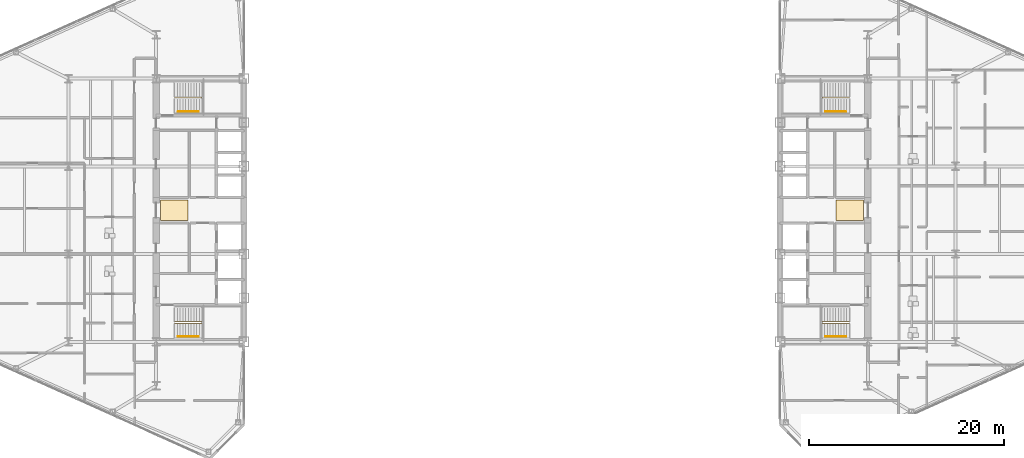
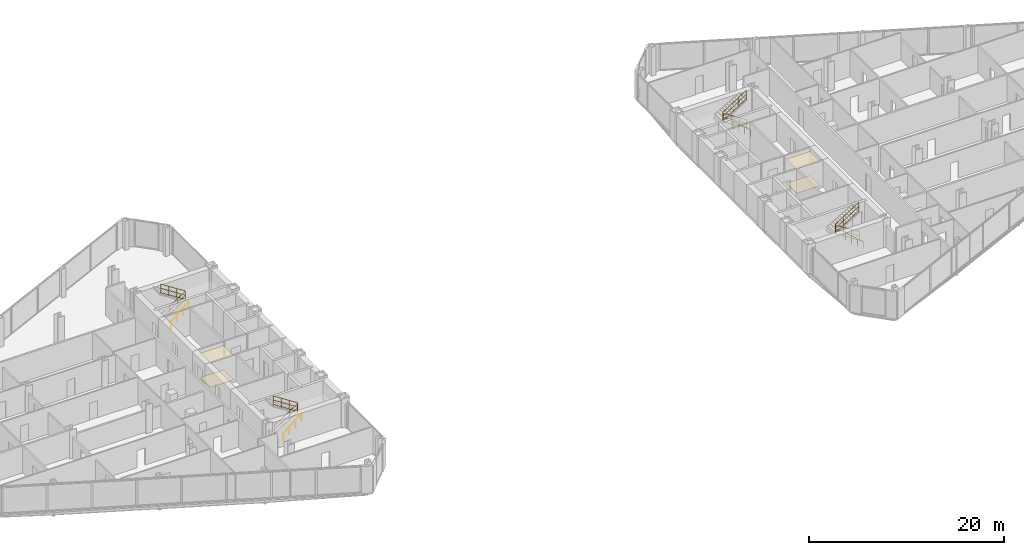
# One storey, part 26 of 27: 8 railings, 4 coverings.
"""IFC4 building model written with IfcOpenShell, lengths in metres."""

from ifc_helpers import new_model, si_unit, direction, frame, origin, origin_2d, place, context, subcontext, project, spatial, polyline, circle, outline, extrude, material, layer, layer_set, type_object, element, save


model = new_model("IFC4")

# Units and contexts
model_context = context("Model", 3, precision=1e-05, world=origin(), true_north=direction((0.0, 1.0)))
body_context = subcontext(model_context, "Body", "Model", "MODEL_VIEW")
ifc_project = project(units=[si_unit("LENGTHUNIT", "METRE"), si_unit("AREAUNIT", "SQUARE_METRE"), si_unit("VOLUMEUNIT", "CUBIC_METRE"), si_unit("PLANEANGLEUNIT", "RADIAN"), si_unit("MASSUNIT", "GRAM", prefix="KILO")], contexts=[model_context])

# Site, building, storey
site_placement = place(None, origin())
site = spatial("IfcSite", under=ifc_project, at=site_placement, CompositionType="ELEMENT")
building_placement = place(site_placement, origin())
building = spatial("IfcBuilding", under=site, at=building_placement, Name="Seokmaru Belvedere", CompositionType="ELEMENT")
storey_placement = place(building_placement, frame((0.0, 0.0, 65.699951171875)))
storey = spatial("IfcBuildingStorey", under=building, at=storey_placement, Name="L17", CompositionType="ELEMENT", Elevation=65.699951171875)

# Coverings
ifc_material_1 = material(Name="Engineered White Oak Timber", Category="wood")
ifc_layer_1 = layer(ifc_material_1, 0.02197265625)
ifc_layer_set_1 = layer_set([ifc_layer_1], Name="Engineered White Oak Timber")
covering_type_1 = type_object("IfcCoveringType", Name="Engineered Oak Residence Floor Finish 22", PredefinedType="FLOORING", material=ifc_layer_set_1)
covering_1_placement = place(storey_placement, origin())
element("IfcCovering", 1, at=covering_1_placement, inside=storey, type_object=covering_type_1, Name="L17 W Foyer Floor Finish", PredefinedType="FLOORING", context=body_context, shape_type="SweptSolid", body=[
    extrude(outline(polyline([(-36.050048828125, -1.050048828125), (-33.25, -1.050048828125), (-33.25, 1.050048828125), (-36.050048828125, 1.050048828125), (-36.050048828125, -1.050048828125)])), origin(), (0.0, 0.0, 1.0), 0.02197265625),
])
covering_2_placement = place(storey_placement, origin())
element("IfcCovering", 2, at=covering_2_placement, inside=storey, type_object=covering_type_1, Name="L17 E Foyer Floor Finish", PredefinedType="FLOORING", context=body_context, shape_type="SweptSolid", body=[
    extrude(outline(polyline([(33.25, -1.050048828125), (36.050048828125, -1.050048828125), (36.050048828125, 1.050048828125), (33.25, 1.050048828125), (33.25, -1.050048828125)])), origin(), (0.0, 0.0, 1.0), 0.02197265625),
])
ifc_material_2 = material(Name="Fire-Rated Gypsum Shaftwall")
ifc_layer_2 = layer(ifc_material_2, 0.02490234375)
ifc_layer_set_2 = layer_set([ifc_layer_2], Name="Fire-Rated Gypsum Shaftwall")
covering_type_2 = type_object("IfcCoveringType", Name="Perforated Acoustic Gypsum Suspended Ceiling 25", PredefinedType="CEILING", material=ifc_layer_set_2)
covering_3_placement = place(storey_placement, frame((0.0, 0.0, 3.030029296875)))
element("IfcCovering", 3, at=covering_3_placement, inside=storey, type_object=covering_type_2, Name="L17 W Lift Foyer Acoustic Ceiling", PredefinedType="CEILING", context=body_context, shape_type="SweptSolid", body=[
    extrude(outline(polyline([(-36.050048828125, -1.050048828125), (-33.25, -1.050048828125), (-33.25, 1.050048828125), (-36.050048828125, 1.050048828125), (-36.050048828125, -1.050048828125)])), origin(), (0.0, 0.0, 1.0), 0.02490234375),
])
covering_4_placement = place(storey_placement, frame((0.0, 0.0, 3.030029296875)))
element("IfcCovering", 4, at=covering_4_placement, inside=storey, type_object=covering_type_2, Name="L17 E Lift Foyer Acoustic Ceiling", PredefinedType="CEILING", context=body_context, shape_type="SweptSolid", body=[
    extrude(outline(polyline([(33.25, -1.050048828125), (36.050048828125, -1.050048828125), (36.050048828125, 1.050048828125), (33.25, 1.050048828125), (33.25, -1.050048828125)])), origin(), (0.0, 0.0, 1.0), 0.02490234375),
])

# Railings
ifc_material_3 = material(Name="Stainless Steel 316", Category="steel")
railing_type_1 = type_object("IfcRailingType", Name="Stainless Steel Wall and Flight Handrail 900", PredefinedType="HANDRAIL", material=ifc_material_3)
for number, where, name in (
    (5, (-34.25, -12.949951171875, 0.0), "L17 Stair ST-W1 Wall Handrail"),
    (6, (-34.25, 10.110107421875, 0.0), "L17 Stair ST-W2 Wall Handrail"),
):
    element("IfcRailing", number, at=place(storey_placement, frame(where)), inside=storey, type_object=railing_type_1, Name=name, PredefinedType="HANDRAIL", context=body_context, shape_type="SweptSolid", body=[
        extrude(circle(Radius=0.02392578125, at=origin_2d()), frame((0.0, 0.0, 0.8759765625), z_axis=(0.759262832861, 0.0, 0.650784104474), x_axis=(0.0, 1.0, 0.0)), (0.0, 0.0, 1.0), 2.765869140625),
        extrude(circle(Radius=0.02099609375, at=origin_2d()), origin(), (0.0, 0.0, 1.0), 0.851806640625),
        extrude(circle(Radius=0.02099609375, at=origin_2d()), frame((0.699951171875, 0.0, 0.60009765625)), (0.0, 0.0, 1.0), 0.851806640625),
        extrude(circle(Radius=0.02099609375, at=origin_2d()), frame((1.400146484375, 0.0, 1.199951171875)), (0.0, 0.0, 1.0), 0.851806640625),
        extrude(circle(Radius=0.02099609375, at=origin_2d()), frame((2.10009765625, 0.0, 1.800048828125)), (0.0, 0.0, 1.0), 0.851806640625),
    ])
for number, where, name in (
    (7, (34.25, -12.949951171875, 0.0), "L17 Stair ST-E1 Wall Handrail"),
    (8, (34.25, 10.110107421875, 0.0), "L17 Stair ST-E2 Wall Handrail"),
):
    element("IfcRailing", number, at=place(storey_placement, frame(where)), inside=storey, type_object=railing_type_1, Name=name, PredefinedType="HANDRAIL", context=body_context, shape_type="SweptSolid", body=[
        extrude(circle(Radius=0.02392578125, at=origin_2d()), frame((0.0, 0.0, 0.8759765625), z_axis=(-0.759262832861, 0.0, 0.650784104474), x_axis=(0.0, -1.0, 0.0)), (0.0, 0.0, 1.0), 2.765869140625),
        extrude(circle(Radius=0.02099609375, at=origin_2d()), origin(), (0.0, 0.0, 1.0), 0.851806640625),
        extrude(circle(Radius=0.02099609375, at=origin_2d()), frame((-0.699951171875, 0.0, 0.60009765625)), (0.0, 0.0, 1.0), 0.851806640625),
        extrude(circle(Radius=0.02099609375, at=origin_2d()), frame((-1.400146484375, 0.0, 1.199951171875)), (0.0, 0.0, 1.0), 0.851806640625),
        extrude(circle(Radius=0.02099609375, at=origin_2d()), frame((-2.10009765625, 0.0, 1.800048828125)), (0.0, 0.0, 1.0), 0.851806640625),
    ])
railing_type_2 = type_object("IfcRailingType", Name="Stair Well and Atrium Steel Guardrail 1200", PredefinedType="GUARDRAIL", material=ifc_material_3)
railing_1_placement = place(storey_placement, frame((-34.60009765625, -11.60009765625, 0.0)))
element("IfcRailing", 9, at=railing_1_placement, inside=storey, type_object=railing_type_2, Name="L17 Stair ST-W1 Inner Well Guardrail", PredefinedType="GUARDRAIL", context=body_context, shape_type="SweptSolid", body=[
    extrude(circle(Radius=0.02392578125, at=origin_2d()), frame((0.0, 0.0, 1.17578125), z_axis=(0.841176092368, 0.0, 0.540761298198), x_axis=(0.0, 1.0, 0.0)), (0.0, 0.0, 1.0), 3.32861328125),
    extrude(circle(Radius=0.02392578125, at=origin_2d()), frame((0.0, 0.0, 0.1201171875), z_axis=(0.841176092368, 0.0, 0.540761298198), x_axis=(0.0, 1.0, 0.0)), (0.0, 0.0, 1.0), 3.32861328125),
    extrude(circle(Radius=0.02392578125, at=origin_2d()), frame((0.0, 0.0, 0.659912109375), z_axis=(0.841176092368, 0.0, 0.540761298198), x_axis=(0.0, 1.0, 0.0)), (0.0, 0.0, 1.0), 3.32861328125),
    extrude(circle(Radius=0.02392578125, at=origin_2d()), frame((2.800048828125, 0.0, 2.97607421875), z_axis=(0.0, 1.0, 0.0), x_axis=(-1.0, 0.0, 0.0)), (0.0, 0.0, 1.0), 0.14013671875),
    extrude(circle(Radius=0.02392578125, at=origin_2d()), frame((2.800048828125, 0.0, 1.920166015625), z_axis=(0.0, 1.0, 0.0), x_axis=(-1.0, 0.0, 0.0)), (0.0, 0.0, 1.0), 0.14013671875),
    extrude(circle(Radius=0.02392578125, at=origin_2d()), frame((2.800048828125, 0.0, 2.4599609375), z_axis=(0.0, 1.0, 0.0), x_axis=(-1.0, 0.0, 0.0)), (0.0, 0.0, 1.0), 0.14013671875),
    extrude(circle(Radius=0.02392578125, at=origin_2d()), frame((2.800048828125, 0.14013671875, 2.97607421875), z_axis=(-0.841176092368, 0.0, 0.540761298198), x_axis=(0.0, -1.0, 0.0)), (0.0, 0.0, 1.0), 3.32861328125),
    extrude(circle(Radius=0.02392578125, at=origin_2d()), frame((2.800048828125, 0.14013671875, 1.920166015625), z_axis=(-0.841176092368, 0.0, 0.540761298198), x_axis=(0.0, -1.0, 0.0)), (0.0, 0.0, 1.0), 3.32861328125),
    extrude(circle(Radius=0.02392578125, at=origin_2d()), frame((2.800048828125, 0.14013671875, 2.4599609375), z_axis=(-0.841176092368, 0.0, 0.540761298198), x_axis=(0.0, -1.0, 0.0)), (0.0, 0.0, 1.0), 3.32861328125),
    extrude(circle(Radius=0.02099609375, at=origin_2d()), origin(), (0.0, 0.0, 1.0), 1.15185546875),
    extrude(circle(Radius=0.02099609375, at=origin_2d()), frame((0.933349609375, 0.0, 0.60009765625)), (0.0, 0.0, 1.0), 1.15185546875),
    extrude(circle(Radius=0.02099609375, at=origin_2d()), frame((1.86669921875, 0.0, 1.199951171875)), (0.0, 0.0, 1.0), 1.15185546875),
    extrude(circle(Radius=0.02099609375, at=origin_2d()), frame((2.800048828125, 0.0, 1.800048828125)), (0.0, 0.0, 1.0), 1.15185546875),
    extrude(circle(Radius=0.02099609375, at=origin_2d()), frame((2.800048828125, 0.14013671875, 1.800048828125)), (0.0, 0.0, 1.0), 1.15185546875),
    extrude(circle(Radius=0.02099609375, at=origin_2d()), frame((1.86669921875, 0.14013671875, 2.400146484375)), (0.0, 0.0, 1.0), 1.15185546875),
    extrude(circle(Radius=0.02099609375, at=origin_2d()), frame((0.933349609375, 0.14013671875, 3.0)), (0.0, 0.0, 1.0), 1.15185546875),
    extrude(circle(Radius=0.02099609375, at=origin_2d()), frame((0.0, 0.14013671875, 3.60009765625)), (0.0, 0.0, 1.0), 1.15185546875),
])
railing_2_placement = place(storey_placement, frame((-34.60009765625, 11.4599609375, 0.0)))
element("IfcRailing", 10, at=railing_2_placement, inside=storey, type_object=railing_type_2, Name="L17 Stair ST-W2 Inner Well Guardrail", PredefinedType="GUARDRAIL", context=body_context, shape_type="SweptSolid", body=[
    extrude(circle(Radius=0.02392578125, at=origin_2d()), frame((0.0, 0.0, 1.17578125), z_axis=(0.841176092368, 0.0, 0.540761298198), x_axis=(0.0, 1.0, 0.0)), (0.0, 0.0, 1.0), 3.32861328125),
    extrude(circle(Radius=0.02392578125, at=origin_2d()), frame((0.0, 0.0, 0.1201171875), z_axis=(0.841176092368, 0.0, 0.540761298198), x_axis=(0.0, 1.0, 0.0)), (0.0, 0.0, 1.0), 3.32861328125),
    extrude(circle(Radius=0.02392578125, at=origin_2d()), frame((0.0, 0.0, 0.659912109375), z_axis=(0.841176092368, 0.0, 0.540761298198), x_axis=(0.0, 1.0, 0.0)), (0.0, 0.0, 1.0), 3.32861328125),
    extrude(circle(Radius=0.02392578125, at=origin_2d()), frame((2.800048828125, 0.0, 2.97607421875), z_axis=(0.0, 1.0, 0.0), x_axis=(-1.0, 0.0, 0.0)), (0.0, 0.0, 1.0), 0.14013671875),
    extrude(circle(Radius=0.02392578125, at=origin_2d()), frame((2.800048828125, 0.0, 1.920166015625), z_axis=(0.0, 1.0, 0.0), x_axis=(-1.0, 0.0, 0.0)), (0.0, 0.0, 1.0), 0.14013671875),
    extrude(circle(Radius=0.02392578125, at=origin_2d()), frame((2.800048828125, 0.0, 2.4599609375), z_axis=(0.0, 1.0, 0.0), x_axis=(-1.0, 0.0, 0.0)), (0.0, 0.0, 1.0), 0.14013671875),
    extrude(circle(Radius=0.02392578125, at=origin_2d()), frame((2.800048828125, 0.14013671875, 2.97607421875), z_axis=(-0.841176092368, 0.0, 0.540761298198), x_axis=(0.0, -1.0, 0.0)), (0.0, 0.0, 1.0), 3.32861328125),
    extrude(circle(Radius=0.02392578125, at=origin_2d()), frame((2.800048828125, 0.14013671875, 1.920166015625), z_axis=(-0.841176092368, 0.0, 0.540761298198), x_axis=(0.0, -1.0, 0.0)), (0.0, 0.0, 1.0), 3.32861328125),
    extrude(circle(Radius=0.02392578125, at=origin_2d()), frame((2.800048828125, 0.14013671875, 2.4599609375), z_axis=(-0.841176092368, 0.0, 0.540761298198), x_axis=(0.0, -1.0, 0.0)), (0.0, 0.0, 1.0), 3.32861328125),
    extrude(circle(Radius=0.02099609375, at=origin_2d()), origin(), (0.0, 0.0, 1.0), 1.15185546875),
    extrude(circle(Radius=0.02099609375, at=origin_2d()), frame((0.933349609375, 0.0, 0.60009765625)), (0.0, 0.0, 1.0), 1.15185546875),
    extrude(circle(Radius=0.02099609375, at=origin_2d()), frame((1.86669921875, 0.0, 1.199951171875)), (0.0, 0.0, 1.0), 1.15185546875),
    extrude(circle(Radius=0.02099609375, at=origin_2d()), frame((2.800048828125, 0.0, 1.800048828125)), (0.0, 0.0, 1.0), 1.15185546875),
    extrude(circle(Radius=0.02099609375, at=origin_2d()), frame((2.800048828125, 0.14013671875, 1.800048828125)), (0.0, 0.0, 1.0), 1.15185546875),
    extrude(circle(Radius=0.02099609375, at=origin_2d()), frame((1.86669921875, 0.14013671875, 2.400146484375)), (0.0, 0.0, 1.0), 1.15185546875),
    extrude(circle(Radius=0.02099609375, at=origin_2d()), frame((0.933349609375, 0.14013671875, 3.0)), (0.0, 0.0, 1.0), 1.15185546875),
    extrude(circle(Radius=0.02099609375, at=origin_2d()), frame((0.0, 0.14013671875, 3.60009765625)), (0.0, 0.0, 1.0), 1.15185546875),
])
railing_3_placement = place(storey_placement, frame((34.60009765625, -11.60009765625, 0.0)))
element("IfcRailing", 11, at=railing_3_placement, inside=storey, type_object=railing_type_2, Name="L17 Stair ST-E1 Inner Well Guardrail", PredefinedType="GUARDRAIL", context=body_context, shape_type="SweptSolid", body=[
    extrude(circle(Radius=0.02392578125, at=origin_2d()), frame((0.0, 0.0, 1.17578125), z_axis=(-0.841176092368, 0.0, 0.540761298198), x_axis=(0.0, -1.0, 0.0)), (0.0, 0.0, 1.0), 3.32861328125),
    extrude(circle(Radius=0.02392578125, at=origin_2d()), frame((0.0, 0.0, 0.1201171875), z_axis=(-0.841176092368, 0.0, 0.540761298198), x_axis=(0.0, -1.0, 0.0)), (0.0, 0.0, 1.0), 3.32861328125),
    extrude(circle(Radius=0.02392578125, at=origin_2d()), frame((0.0, 0.0, 0.659912109375), z_axis=(-0.841176092368, 0.0, 0.540761298198), x_axis=(0.0, -1.0, 0.0)), (0.0, 0.0, 1.0), 3.32861328125),
    extrude(circle(Radius=0.02392578125, at=origin_2d()), frame((-2.800048828125, 0.0, 2.97607421875), z_axis=(0.0, 1.0, 0.0), x_axis=(-1.0, 0.0, 0.0)), (0.0, 0.0, 1.0), 0.14013671875),
    extrude(circle(Radius=0.02392578125, at=origin_2d()), frame((-2.800048828125, 0.0, 1.920166015625), z_axis=(0.0, 1.0, 0.0), x_axis=(-1.0, 0.0, 0.0)), (0.0, 0.0, 1.0), 0.14013671875),
    extrude(circle(Radius=0.02392578125, at=origin_2d()), frame((-2.800048828125, 0.0, 2.4599609375), z_axis=(0.0, 1.0, 0.0), x_axis=(-1.0, 0.0, 0.0)), (0.0, 0.0, 1.0), 0.14013671875),
    extrude(circle(Radius=0.02392578125, at=origin_2d()), frame((-2.800048828125, 0.14013671875, 2.97607421875), z_axis=(0.841176092368, 0.0, 0.540761298198), x_axis=(0.0, 1.0, 0.0)), (0.0, 0.0, 1.0), 3.32861328125),
    extrude(circle(Radius=0.02392578125, at=origin_2d()), frame((-2.800048828125, 0.14013671875, 1.920166015625), z_axis=(0.841176092368, 0.0, 0.540761298198), x_axis=(0.0, 1.0, 0.0)), (0.0, 0.0, 1.0), 3.32861328125),
    extrude(circle(Radius=0.02392578125, at=origin_2d()), frame((-2.800048828125, 0.14013671875, 2.4599609375), z_axis=(0.841176092368, 0.0, 0.540761298198), x_axis=(0.0, 1.0, 0.0)), (0.0, 0.0, 1.0), 3.32861328125),
    extrude(circle(Radius=0.02099609375, at=origin_2d()), origin(), (0.0, 0.0, 1.0), 1.15185546875),
    extrude(circle(Radius=0.02099609375, at=origin_2d()), frame((-0.933349609375, 0.0, 0.60009765625)), (0.0, 0.0, 1.0), 1.15185546875),
    extrude(circle(Radius=0.02099609375, at=origin_2d()), frame((-1.86669921875, 0.0, 1.199951171875)), (0.0, 0.0, 1.0), 1.15185546875),
    extrude(circle(Radius=0.02099609375, at=origin_2d()), frame((-2.800048828125, 0.0, 1.800048828125)), (0.0, 0.0, 1.0), 1.15185546875),
    extrude(circle(Radius=0.02099609375, at=origin_2d()), frame((-2.800048828125, 0.14013671875, 1.800048828125)), (0.0, 0.0, 1.0), 1.15185546875),
    extrude(circle(Radius=0.02099609375, at=origin_2d()), frame((-1.86669921875, 0.14013671875, 2.400146484375)), (0.0, 0.0, 1.0), 1.15185546875),
    extrude(circle(Radius=0.02099609375, at=origin_2d()), frame((-0.933349609375, 0.14013671875, 3.0)), (0.0, 0.0, 1.0), 1.15185546875),
    extrude(circle(Radius=0.02099609375, at=origin_2d()), frame((0.0, 0.14013671875, 3.60009765625)), (0.0, 0.0, 1.0), 1.15185546875),
])
railing_4_placement = place(storey_placement, frame((34.60009765625, 11.4599609375, 0.0)))
element("IfcRailing", 12, at=railing_4_placement, inside=storey, type_object=railing_type_2, Name="L17 Stair ST-E2 Inner Well Guardrail", PredefinedType="GUARDRAIL", context=body_context, shape_type="SweptSolid", body=[
    extrude(circle(Radius=0.02392578125, at=origin_2d()), frame((0.0, 0.0, 1.17578125), z_axis=(-0.841176092368, 0.0, 0.540761298198), x_axis=(0.0, -1.0, 0.0)), (0.0, 0.0, 1.0), 3.32861328125),
    extrude(circle(Radius=0.02392578125, at=origin_2d()), frame((0.0, 0.0, 0.1201171875), z_axis=(-0.841176092368, 0.0, 0.540761298198), x_axis=(0.0, -1.0, 0.0)), (0.0, 0.0, 1.0), 3.32861328125),
    extrude(circle(Radius=0.02392578125, at=origin_2d()), frame((0.0, 0.0, 0.659912109375), z_axis=(-0.841176092368, 0.0, 0.540761298198), x_axis=(0.0, -1.0, 0.0)), (0.0, 0.0, 1.0), 3.32861328125),
    extrude(circle(Radius=0.02392578125, at=origin_2d()), frame((-2.800048828125, 0.0, 2.97607421875), z_axis=(0.0, 1.0, 0.0), x_axis=(-1.0, 0.0, 0.0)), (0.0, 0.0, 1.0), 0.14013671875),
    extrude(circle(Radius=0.02392578125, at=origin_2d()), frame((-2.800048828125, 0.0, 1.920166015625), z_axis=(0.0, 1.0, 0.0), x_axis=(-1.0, 0.0, 0.0)), (0.0, 0.0, 1.0), 0.14013671875),
    extrude(circle(Radius=0.02392578125, at=origin_2d()), frame((-2.800048828125, 0.0, 2.4599609375), z_axis=(0.0, 1.0, 0.0), x_axis=(-1.0, 0.0, 0.0)), (0.0, 0.0, 1.0), 0.14013671875),
    extrude(circle(Radius=0.02392578125, at=origin_2d()), frame((-2.800048828125, 0.14013671875, 2.97607421875), z_axis=(0.841176092368, 0.0, 0.540761298198), x_axis=(0.0, 1.0, 0.0)), (0.0, 0.0, 1.0), 3.32861328125),
    extrude(circle(Radius=0.02392578125, at=origin_2d()), frame((-2.800048828125, 0.14013671875, 1.920166015625), z_axis=(0.841176092368, 0.0, 0.540761298198), x_axis=(0.0, 1.0, 0.0)), (0.0, 0.0, 1.0), 3.32861328125),
    extrude(circle(Radius=0.02392578125, at=origin_2d()), frame((-2.800048828125, 0.14013671875, 2.4599609375), z_axis=(0.841176092368, 0.0, 0.540761298198), x_axis=(0.0, 1.0, 0.0)), (0.0, 0.0, 1.0), 3.32861328125),
    extrude(circle(Radius=0.02099609375, at=origin_2d()), origin(), (0.0, 0.0, 1.0), 1.15185546875),
    extrude(circle(Radius=0.02099609375, at=origin_2d()), frame((-0.933349609375, 0.0, 0.60009765625)), (0.0, 0.0, 1.0), 1.15185546875),
    extrude(circle(Radius=0.02099609375, at=origin_2d()), frame((-1.86669921875, 0.0, 1.199951171875)), (0.0, 0.0, 1.0), 1.15185546875),
    extrude(circle(Radius=0.02099609375, at=origin_2d()), frame((-2.800048828125, 0.0, 1.800048828125)), (0.0, 0.0, 1.0), 1.15185546875),
    extrude(circle(Radius=0.02099609375, at=origin_2d()), frame((-2.800048828125, 0.14013671875, 1.800048828125)), (0.0, 0.0, 1.0), 1.15185546875),
    extrude(circle(Radius=0.02099609375, at=origin_2d()), frame((-1.86669921875, 0.14013671875, 2.400146484375)), (0.0, 0.0, 1.0), 1.15185546875),
    extrude(circle(Radius=0.02099609375, at=origin_2d()), frame((-0.933349609375, 0.14013671875, 3.0)), (0.0, 0.0, 1.0), 1.15185546875),
    extrude(circle(Radius=0.02099609375, at=origin_2d()), frame((0.0, 0.14013671875, 3.60009765625)), (0.0, 0.0, 1.0), 1.15185546875),
])

save(model, "model.ifc")
